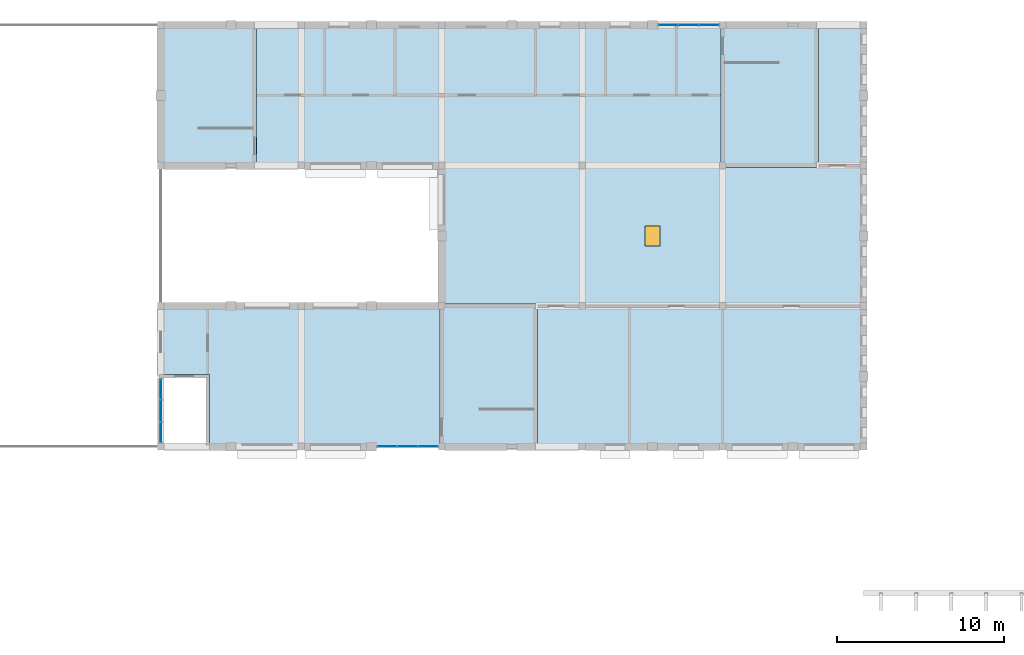
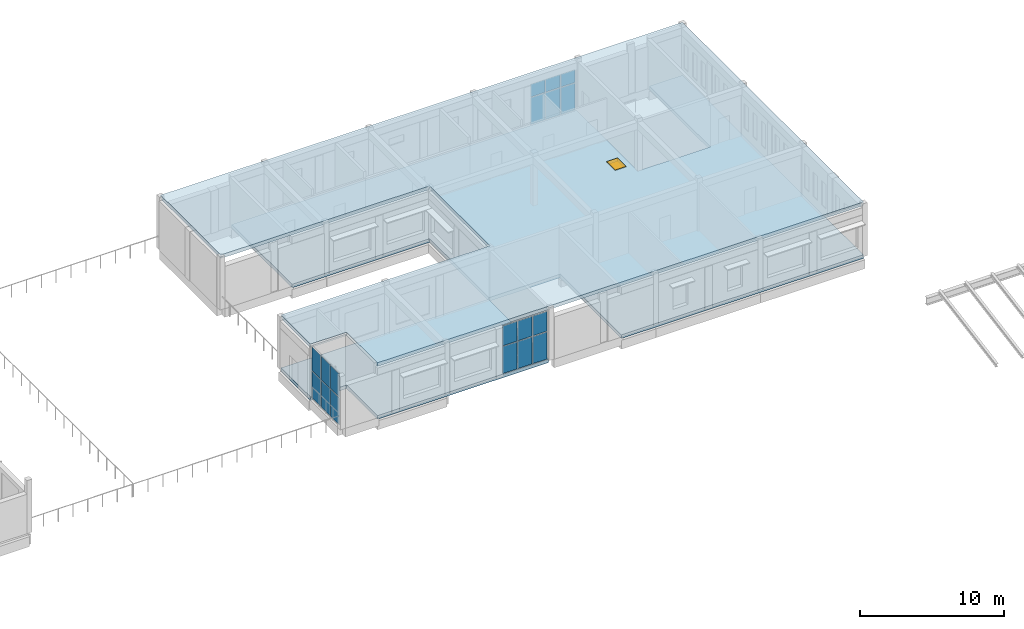
# One storey, part 17 of 30: 18 plates, 3 slabs, 1 window, 1 opening, 3 elements without a shape of their own.
"""IFC4 building model written with IfcOpenShell, lengths in metres."""

from ifc_helpers import new_model, si_unit, direction, frame, origin, origin_2d, place, context, subcontext, project, spatial, polyline, rectangle, outline, extrude, material, layer, layer_set, type_object, element, fill, aggregate, save


model = new_model("IFC4")

# Units and contexts
model_context = context("Model", 3, precision=1e-05, world=origin(), true_north=direction((0.0, 1.0)))
body_context = subcontext(model_context, "Body", "Model", "MODEL_VIEW")
ifc_project = project(units=[si_unit("LENGTHUNIT", "METRE"), si_unit("AREAUNIT", "SQUARE_METRE"), si_unit("VOLUMEUNIT", "CUBIC_METRE"), si_unit("PLANEANGLEUNIT", "RADIAN"), si_unit("MASSUNIT", "GRAM", prefix="KILO")], contexts=[model_context])

# Site, building, storey
site_placement = place(None, origin())
site = spatial("IfcSite", under=ifc_project, at=site_placement, CompositionType="ELEMENT")
building_placement = place(site_placement, origin())
building = spatial("IfcBuilding", under=site, at=building_placement, Name="Fescue Hill Polytechnic", CompositionType="ELEMENT")
storey_placement = place(building_placement, frame((0.0, 0.0, 22.5)))
storey = spatial("IfcBuildingStorey", under=building, at=storey_placement, Name="L05", CompositionType="ELEMENT", Elevation=22.5)

# Slabs
ifc_material_1 = material(Name="Concrete 35 MPa", Category="concrete")
ifc_layer_1 = layer(ifc_material_1, 0.300048828125)
ifc_layer_set_1 = layer_set([ifc_layer_1], Name="Concrete 35 MPa")
slab_type_1 = type_object("IfcSlabType", Name="Floor slab 300", PredefinedType="FLOOR", material=ifc_layer_set_1)
slab_1_placement = place(storey_placement, frame((0.0, 0.0, -0.300048828125)))
element("IfcSlab", 1, at=slab_1_placement, inside=storey, type_object=slab_type_1, Name="SL-L05-V4b-1", PredefinedType="FLOOR", context=body_context, shape_type="SweptSolid", body=[
    extrude(outline(polyline([(109.074951171875, 134.39990234375), (109.074951171875, 125.875), (114.925048828125, 125.875), (114.925048828125, 134.39990234375), (117.60009765625, 134.39990234375), (117.60009765625, 109.199951171875), (98.125, 109.199951171875), (98.125, 117.72509765625), (92.39990234375, 117.72509765625), (92.39990234375, 126.0), (81.324951171875, 126.0), (81.324951171875, 134.39990234375), (109.074951171875, 134.39990234375)])), origin(), (0.0, 0.0, 1.0), 0.300048828125),
])
slab_2_placement = place(storey_placement, frame((0.0, 0.0, -0.300048828125)))
element("IfcSlab", 2, at=slab_2_placement, inside=storey, type_object=slab_type_1, Name="SL-L05-V4b-2", PredefinedType="FLOOR", context=body_context, shape_type="SweptSolid", body=[
    extrude(outline(polyline([(78.5, 109.199951171875), (78.5, 113.5), (75.60009765625, 113.5), (75.60009765625, 117.60009765625), (92.27490234375, 117.60009765625), (92.27490234375, 109.199951171875), (78.5, 109.199951171875)])), origin(), (0.0, 0.0, 1.0), 0.300048828125),
])

# Curtain wall, plates
ifc_material_2 = material(Name="Glass", Category="glass")
curtain_wall_type = type_object("IfcCurtainWallType", Name="Curtain wall structural glazing", PredefinedType="NOTDEFINED", material=ifc_material_2)
curtain_wall_1_placement = place(storey_placement, origin())
curtain_wall_1 = element("IfcCurtainWall", 3, at=curtain_wall_1_placement, inside=storey, type_object=curtain_wall_type, Name="CW-L05-V4b-X1", PredefinedType="NOTDEFINED")
ifc_layer_2 = layer(ifc_material_2, 0.028076171875)
ifc_layer_set_2 = layer_set([ifc_layer_2], Name="Glass")
plate_type = type_object("IfcPlateType", Name="Panel glazing 28", PredefinedType="CURTAIN_PANEL", material=ifc_layer_set_2)
plate_1_placement = place(storey_placement, frame((108.368408203125, 134.39990234375, 0.06005859375), z_axis=(0.0, 0.0, 1.0), x_axis=(-1.0, 0.0, 0.0)))
plate_1 = element("IfcPlate", 4, at=plate_1_placement, type_object=plate_type, Name="CW169 panel 1.1", PredefinedType="CURTAIN_PANEL", context=body_context, shape_type="SweptSolid", body=[
    extrude(rectangle(XDim=1.143310546875, YDim=0.028076171875, at=origin_2d()), origin(), (0.0, 0.0, 1.0), 2.31005859375),
])
plate_2_placement = place(storey_placement, frame((108.368408203125, 134.39990234375, 2.43017578125), z_axis=(0.0, 0.0, 1.0), x_axis=(-1.0, 0.0, 0.0)))
plate_2 = element("IfcPlate", 5, at=plate_2_placement, type_object=plate_type, Name="CW169 panel 1.2", PredefinedType="CURTAIN_PANEL", context=body_context, shape_type="SweptSolid", body=[
    extrude(rectangle(XDim=1.143310546875, YDim=0.028076171875, at=origin_2d()), origin(), (0.0, 0.0, 1.0), 1.090087890625),
])
plate_3_placement = place(storey_placement, frame((107.14990234375, 134.39990234375, 0.06005859375), z_axis=(0.0, 0.0, 1.0), x_axis=(-1.0, 0.0, 0.0)))
plate_3 = element("IfcPlate", 6, at=plate_3_placement, type_object=plate_type, Name="CW169 panel 2.1", PredefinedType="CURTAIN_PANEL", context=body_context, shape_type="SweptSolid", body=[
    extrude(rectangle(XDim=1.17333984375, YDim=0.028076171875, at=origin_2d()), origin(), (0.0, 0.0, 1.0), 2.31005859375),
])
plate_4_placement = place(storey_placement, frame((107.14990234375, 134.39990234375, 2.43017578125), z_axis=(0.0, 0.0, 1.0), x_axis=(-1.0, 0.0, 0.0)))
plate_4 = element("IfcPlate", 7, at=plate_4_placement, type_object=plate_type, Name="CW169 panel 2.2", PredefinedType="CURTAIN_PANEL", context=body_context, shape_type="SweptSolid", body=[
    extrude(rectangle(XDim=1.17333984375, YDim=0.028076171875, at=origin_2d()), origin(), (0.0, 0.0, 1.0), 1.090087890625),
])
plate_5_placement = place(storey_placement, frame((105.931640625, 134.39990234375, 0.06005859375), z_axis=(0.0, 0.0, 1.0), x_axis=(-1.0, 0.0, 0.0)))
plate_5 = element("IfcPlate", 8, at=plate_5_placement, type_object=plate_type, Name="CW169 panel 3.1", PredefinedType="CURTAIN_PANEL", context=body_context, shape_type="SweptSolid", body=[
    extrude(rectangle(XDim=1.143310546875, YDim=0.028076171875, at=origin_2d()), origin(), (0.0, 0.0, 1.0), 2.31005859375),
])
plate_6_placement = place(storey_placement, frame((105.931640625, 134.39990234375, 2.43017578125), z_axis=(0.0, 0.0, 1.0), x_axis=(-1.0, 0.0, 0.0)))
plate_6 = element("IfcPlate", 9, at=plate_6_placement, type_object=plate_type, Name="CW169 panel 3.2", PredefinedType="CURTAIN_PANEL", context=body_context, shape_type="SweptSolid", body=[
    extrude(rectangle(XDim=1.143310546875, YDim=0.028076171875, at=origin_2d()), origin(), (0.0, 0.0, 1.0), 1.090087890625),
])
aggregate(curtain_wall_1, [plate_1, plate_2, plate_3, plate_4, plate_5, plate_6])

curtain_wall_2_placement = place(storey_placement, origin())
curtain_wall_2 = element("IfcCurtainWall", 10, at=curtain_wall_2_placement, inside=storey, type_object=curtain_wall_type, Name="CW-L05-V4b-X2", PredefinedType="NOTDEFINED")
plate_7_placement = place(storey_placement, frame((89.131591796875, 109.199951171875, 0.06005859375), z_axis=(0.0, 0.0, 1.0), x_axis=(1.0, 0.0, 0.0)))
plate_7 = element("IfcPlate", 11, at=plate_7_placement, type_object=plate_type, Name="CW173 panel 1.1", PredefinedType="CURTAIN_PANEL", context=body_context, shape_type="SweptSolid", body=[
    extrude(rectangle(XDim=1.143310546875, YDim=0.028076171875, at=origin_2d()), origin(), (0.0, 0.0, 1.0), 2.31005859375),
])
plate_8_placement = place(storey_placement, frame((89.131591796875, 109.199951171875, 2.429931640625), z_axis=(0.0, 0.0, 1.0), x_axis=(1.0, 0.0, 0.0)))
plate_8 = element("IfcPlate", 12, at=plate_8_placement, type_object=plate_type, Name="CW173 panel 1.2", PredefinedType="CURTAIN_PANEL", context=body_context, shape_type="SweptSolid", body=[
    extrude(rectangle(XDim=1.143310546875, YDim=0.028076171875, at=origin_2d()), origin(), (0.0, 0.0, 1.0), 1.68994140625),
])
plate_9_placement = place(storey_placement, frame((90.35009765625, 109.199951171875, 0.06005859375), z_axis=(0.0, 0.0, 1.0), x_axis=(1.0, 0.0, 0.0)))
plate_9 = element("IfcPlate", 13, at=plate_9_placement, type_object=plate_type, Name="CW173 panel 2.1", PredefinedType="CURTAIN_PANEL", context=body_context, shape_type="SweptSolid", body=[
    extrude(rectangle(XDim=1.17333984375, YDim=0.028076171875, at=origin_2d()), origin(), (0.0, 0.0, 1.0), 2.31005859375),
])
plate_10_placement = place(storey_placement, frame((90.35009765625, 109.199951171875, 2.429931640625), z_axis=(0.0, 0.0, 1.0), x_axis=(1.0, 0.0, 0.0)))
plate_10 = element("IfcPlate", 14, at=plate_10_placement, type_object=plate_type, Name="CW173 panel 2.2", PredefinedType="CURTAIN_PANEL", context=body_context, shape_type="SweptSolid", body=[
    extrude(rectangle(XDim=1.17333984375, YDim=0.028076171875, at=origin_2d()), origin(), (0.0, 0.0, 1.0), 1.68994140625),
])
plate_11_placement = place(storey_placement, frame((91.568359375, 109.199951171875, 0.06005859375), z_axis=(0.0, 0.0, 1.0), x_axis=(1.0, 0.0, 0.0)))
plate_11 = element("IfcPlate", 15, at=plate_11_placement, type_object=plate_type, Name="CW173 panel 3.1", PredefinedType="CURTAIN_PANEL", context=body_context, shape_type="SweptSolid", body=[
    extrude(rectangle(XDim=1.143310546875, YDim=0.028076171875, at=origin_2d()), origin(), (0.0, 0.0, 1.0), 2.31005859375),
])
plate_12_placement = place(storey_placement, frame((91.568359375, 109.199951171875, 2.429931640625), z_axis=(0.0, 0.0, 1.0), x_axis=(1.0, 0.0, 0.0)))
plate_12 = element("IfcPlate", 16, at=plate_12_placement, type_object=plate_type, Name="CW173 panel 3.2", PredefinedType="CURTAIN_PANEL", context=body_context, shape_type="SweptSolid", body=[
    extrude(rectangle(XDim=1.143310546875, YDim=0.028076171875, at=origin_2d()), origin(), (0.0, 0.0, 1.0), 1.68994140625),
])
aggregate(curtain_wall_2, [plate_7, plate_8, plate_9, plate_10, plate_11, plate_12])

curtain_wall_3_placement = place(storey_placement, origin())
curtain_wall_3 = element("IfcCurtainWall", 17, at=curtain_wall_3_placement, inside=storey, type_object=curtain_wall_type, Name="CW-L05-V4b-X3", PredefinedType="NOTDEFINED")
plate_13_placement = place(storey_placement, frame((75.60009765625, 112.63427734375, 0.06005859375), z_axis=(0.0, 0.0, 1.0), x_axis=(0.0, -1.0, 0.0)))
plate_13 = element("IfcPlate", 18, at=plate_13_placement, type_object=plate_type, Name="CW179 panel 1.1", PredefinedType="CURTAIN_PANEL", context=body_context, shape_type="SweptSolid", body=[
    extrude(rectangle(XDim=1.209716796875, YDim=0.028076171875, at=origin_2d()), origin(), (0.0, 0.0, 1.0), 2.31005859375),
])
plate_14_placement = place(storey_placement, frame((75.60009765625, 112.63427734375, 2.43017578125), z_axis=(0.0, 0.0, 1.0), x_axis=(0.0, -1.0, 0.0)))
plate_14 = element("IfcPlate", 19, at=plate_14_placement, type_object=plate_type, Name="CW179 panel 1.2", PredefinedType="CURTAIN_PANEL", context=body_context, shape_type="SweptSolid", body=[
    extrude(rectangle(XDim=1.209716796875, YDim=0.028076171875, at=origin_2d()), origin(), (0.0, 0.0, 1.0), 1.989990234375),
])
plate_15_placement = place(storey_placement, frame((75.60009765625, 111.349609375, 0.06005859375), z_axis=(0.0, 0.0, 1.0), x_axis=(0.0, -1.0, 0.0)))
plate_15 = element("IfcPlate", 20, at=plate_15_placement, type_object=plate_type, Name="CW179 panel 2.1", PredefinedType="CURTAIN_PANEL", context=body_context, shape_type="SweptSolid", body=[
    extrude(rectangle(XDim=1.23974609375, YDim=0.028076171875, at=origin_2d()), origin(), (0.0, 0.0, 1.0), 2.31005859375),
])
plate_16_placement = place(storey_placement, frame((75.60009765625, 111.349609375, 2.43017578125), z_axis=(0.0, 0.0, 1.0), x_axis=(0.0, -1.0, 0.0)))
plate_16 = element("IfcPlate", 21, at=plate_16_placement, type_object=plate_type, Name="CW179 panel 2.2", PredefinedType="CURTAIN_PANEL", context=body_context, shape_type="SweptSolid", body=[
    extrude(rectangle(XDim=1.23974609375, YDim=0.028076171875, at=origin_2d()), origin(), (0.0, 0.0, 1.0), 1.989990234375),
])
plate_17_placement = place(storey_placement, frame((75.60009765625, 110.06494140625, 0.06005859375), z_axis=(0.0, 0.0, 1.0), x_axis=(0.0, -1.0, 0.0)))
plate_17 = element("IfcPlate", 22, at=plate_17_placement, type_object=plate_type, Name="CW179 panel 3.1", PredefinedType="CURTAIN_PANEL", context=body_context, shape_type="SweptSolid", body=[
    extrude(rectangle(XDim=1.209716796875, YDim=0.028076171875, at=origin_2d()), origin(), (0.0, 0.0, 1.0), 2.31005859375),
])
plate_18_placement = place(storey_placement, frame((75.60009765625, 110.06494140625, 2.43017578125), z_axis=(0.0, 0.0, 1.0), x_axis=(0.0, -1.0, 0.0)))
plate_18 = element("IfcPlate", 23, at=plate_18_placement, type_object=plate_type, Name="CW179 panel 3.2", PredefinedType="CURTAIN_PANEL", context=body_context, shape_type="SweptSolid", body=[
    extrude(rectangle(XDim=1.209716796875, YDim=0.028076171875, at=origin_2d()), origin(), (0.0, 0.0, 1.0), 1.989990234375),
])
aggregate(curtain_wall_3, [plate_13, plate_14, plate_15, plate_16, plate_17, plate_18])

# Slab, opening, window
ifc_layer_3 = layer(ifc_material_1, 0.300048828125)
ifc_layer_set_3 = layer_set([ifc_layer_3], Name="Concrete 35 MPa")
slab_type_2 = type_object("IfcSlabType", Name="Roof slab 300", PredefinedType="ROOF", material=ifc_layer_set_3)
slab_3_placement = place(storey_placement, frame((0.0, 0.0, 4.199951171875)))
slab_3 = element("IfcSlab", 24, at=slab_3_placement, inside=storey, type_object=slab_type_2, Name="RF-L05-V4b-1", PredefinedType="ROOF", context=body_context, shape_type="SweptSolid", body=[
    extrude(outline(polyline([(78.5, 109.199951171875), (78.5, 113.5), (75.60009765625, 113.5), (75.60009765625, 117.60009765625), (92.39990234375, 117.60009765625), (92.39990234375, 126.0), (75.60009765625, 126.0), (75.60009765625, 134.39990234375), (117.60009765625, 134.39990234375), (117.60009765625, 109.199951171875), (78.5, 109.199951171875)])), origin(), (0.0, 0.0, 1.0), 0.300048828125),
])
opening_placement = place(slab_3_placement, frame((105.0, 121.800048828125, 0.0)))
opening = element("IfcOpeningElement", 25, at=opening_placement, cuts=slab_3, Name="Opening WH1", PredefinedType="OPENING", context=body_context, shape_type="SweptSolid", body=[
    extrude(rectangle(XDim=0.89990234375, YDim=1.199951171875, at=origin_2d()), frame((0.0, 0.0, -0.010009765625)), (0.0, 0.0, 1.0), 0.320068359375),
])
ifc_material_3 = material(Name="Powder-coated aluminium and glass", Category="aluminium")
window_type = type_object("IfcWindowType", Name="Roof access hatch 900x1200", PartitioningType="SINGLE_PANEL", PredefinedType="SKYLIGHT", material=ifc_material_3)
window_placement = place(opening_placement, frame((0.0, 0.0, 0.25)))
window = element("IfcWindow", 26, at=window_placement, inside=storey, type_object=window_type, Name="HT-L05-V4b-1", OverallHeight=1.199951171875, OverallWidth=0.89990234375, PartitioningType="SINGLE_PANEL", PredefinedType="SKYLIGHT", context=body_context, shape_type="SweptSolid", body=[
    extrude(rectangle(XDim=0.89990234375, YDim=1.199951171875, at=origin_2d()), origin(), (0.0, 0.0, 1.0), 0.050048828125),
])
fill(opening, window)

save(model, "model.ifc")
